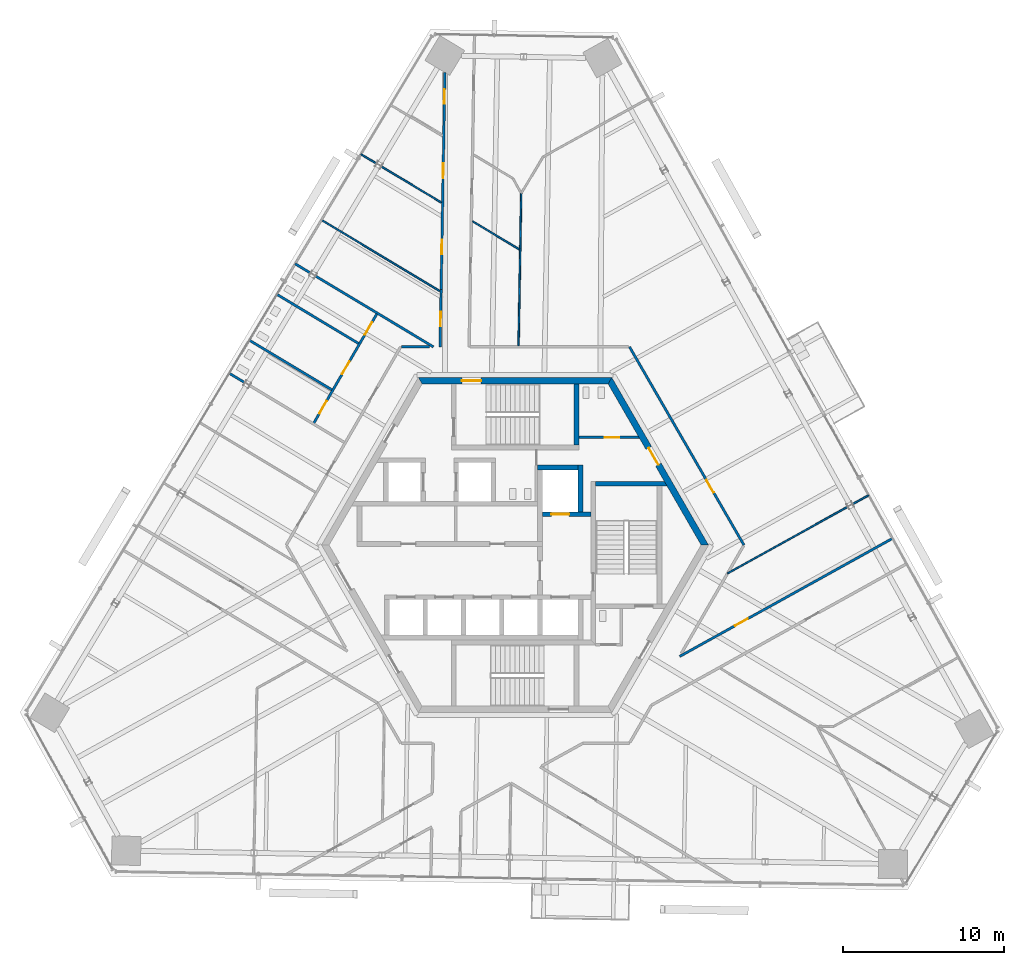
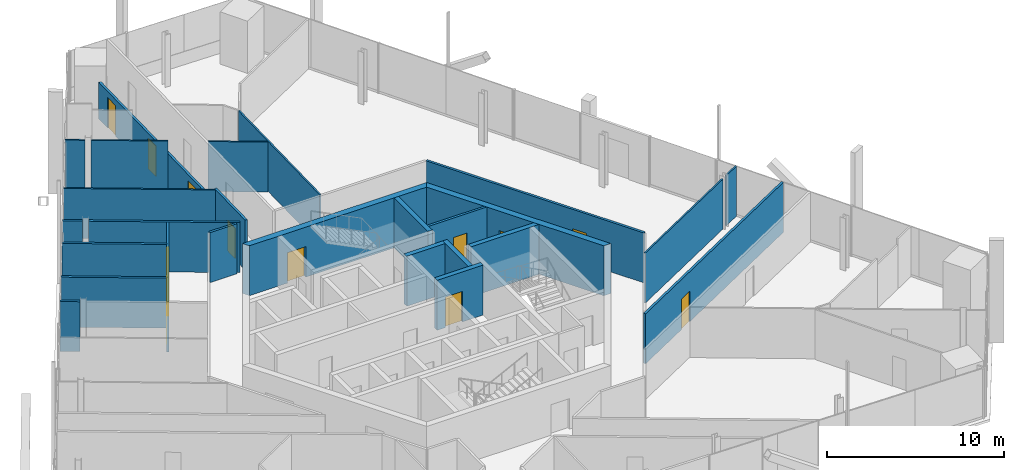
# One storey, part 14 of 21: 26 walls, 13 doors, 13 openings.
"""IFC4 building model written with IfcOpenShell, lengths in metres."""

from ifc_helpers import new_model, si_unit, direction, frame, frame_2d, origin, place, context, subcontext, project, spatial, polyline, rectangle, outline, extrude, source, transform, mapped, material, layer, layer_set, type_object, element, fill, save


model = new_model("IFC4")

# Units and contexts
model_context = context("Model", 3, precision=1e-05, world=origin(), true_north=direction((0.0, 1.0)))
body_context = subcontext(model_context, "Body", "Model", "MODEL_VIEW")
ifc_project = project(units=[si_unit("LENGTHUNIT", "METRE"), si_unit("AREAUNIT", "SQUARE_METRE"), si_unit("VOLUMEUNIT", "CUBIC_METRE"), si_unit("PLANEANGLEUNIT", "RADIAN"), si_unit("MASSUNIT", "GRAM", prefix="KILO")], contexts=[model_context])

# Site, building, storey
site_placement = place(None, origin())
site = spatial("IfcSite", under=ifc_project, at=site_placement, CompositionType="ELEMENT")
building_placement = place(site_placement, origin())
building = spatial("IfcBuilding", under=site, at=building_placement, Name="Triune Harvest Tower", CompositionType="ELEMENT")
storey_placement = place(building_placement, frame((0.0, 0.0, 187.10009765625)))
storey = spatial("IfcBuildingStorey", under=building, at=storey_placement, Name="L48", CompositionType="ELEMENT", Elevation=187.10009765625)

# Walls
ifc_material_1 = material(Name="Gypsum board on steel studs", Category="steel")
ifc_layer_1 = layer(ifc_material_1, 0.14990234375)
ifc_layer_set_1 = layer_set([ifc_layer_1], Name="Gypsum board on steel studs")
wall_type_1 = type_object("IfcWallType", Name="Fire Partition 150 mm", PredefinedType="PARTITIONING", material=ifc_layer_set_1)
wall_1_placement = place(storey_placement, frame((-14.779541015625, 15.54931640625, 0.0), z_axis=(0.0, 0.0, 1.0), x_axis=(0.857165418582, -0.51504120727, 0.0)))
element("IfcWall", 1, at=wall_1_placement, inside=storey, type_object=wall_type_1, Name="Partition L48 020", PredefinedType="PARTITIONING", context=body_context, shape_type="SweptSolid", body=[
    extrude(rectangle(XDim=5.9228515625, YDim=0.14990234375, at=frame_2d((2.96142578125, 0.0))), origin(), (0.0, 0.0, 1.0), 3.43994140625),
])
wall_2_placement = place(storey_placement, frame((-12.377685546875, 16.685302734375, 0.0), z_axis=(0.0, 0.0, 1.0), x_axis=(0.857174551335, -0.515026007638, 0.0)))
element("IfcWall", 2, at=wall_2_placement, inside=storey, type_object=wall_type_1, Name="Partition L48 022", PredefinedType="PARTITIONING", context=body_context, shape_type="SweptSolid", body=[
    extrude(rectangle(XDim=8.52978515625, YDim=0.14990234375, at=frame_2d((4.264892578125, 0.0))), origin(), (0.0, 0.0, 1.0), 3.43994140625),
])
wall_3_placement = place(storey_placement, frame((-7.047119140625, 12.292236328125, 0.0), z_axis=(0.0, 0.0, 1.0), x_axis=(1.0, 0.0, 0.0)))
element("IfcWall", 3, at=wall_3_placement, inside=storey, type_object=wall_type_1, Name="Partition L48 032", PredefinedType="PARTITIONING", context=body_context, shape_type="SweptSolid", body=[
    extrude(rectangle(XDim=1.747314453125, YDim=0.14990234375, at=frame_2d((0.87353515625, 0.0))), origin(), (0.0, 0.0, 1.0), 3.43994140625),
])

# Wall, openings, doors
wall_4_placement = place(storey_placement, frame((-12.510009765625, 7.5166015625, 0.0), z_axis=(0.0, 0.0, 1.0), x_axis=(0.499999983394, 0.866025413372, 0.0)))
wall_4 = element("IfcWall", 4, at=wall_4_placement, inside=storey, type_object=wall_type_1, Name="Partition L48 050", PredefinedType="PARTITIONING", context=body_context, shape_type="SweptSolid", body=[
    extrude(rectangle(XDim=7.86865234375, YDim=0.14990234375, at=frame_2d((3.934326171875, 0.0))), origin(), (0.0, 0.0, 1.0), 3.43994140625),
])
opening_1_placement = place(wall_4_placement, frame((6.378662109375, 0.0, 0.0)))
opening_1 = element("IfcOpeningElement", 5, at=opening_1_placement, cuts=wall_4, Name="Opening L48-012", PredefinedType="OPENING", context=body_context, shape_type="SweptSolid", body=[
    extrude(rectangle(XDim=0.89990234375, YDim=2.10009765625, at=frame_2d((0.449951171875, 1.050048828125))), frame((0.0, 0.0849609375, 0.0), z_axis=(0.0, -1.0, 0.0), x_axis=(1.0, 0.0, 0.0)), (0.0, 0.0, 1.0), 0.169921875),
])
opening_2_placement = place(wall_4_placement, frame((3.5673828125, 0.0, 0.0)))
opening_2 = element("IfcOpeningElement", 6, at=opening_2_placement, cuts=wall_4, Name="Opening L48-013", PredefinedType="OPENING", context=body_context, shape_type="SweptSolid", body=[
    extrude(rectangle(XDim=0.89990234375, YDim=2.10009765625, at=frame_2d((0.449951171875, 1.050048828125))), frame((0.0, 0.0849609375, 0.0), z_axis=(0.0, -1.0, 0.0), x_axis=(1.0, 0.0, 0.0)), (0.0, 0.0, 1.0), 0.169921875),
])
opening_3_placement = place(wall_4_placement, frame((0.75048828125, 0.0, 0.0)))
opening_3 = element("IfcOpeningElement", 7, at=opening_3_placement, cuts=wall_4, Name="Opening L48-014", PredefinedType="OPENING", context=body_context, shape_type="SweptSolid", body=[
    extrude(rectangle(XDim=0.89990234375, YDim=2.10009765625, at=frame_2d((0.449951171875, 1.050048828125))), frame((0.0, 0.0849609375, 0.0), z_axis=(0.0, -1.0, 0.0), x_axis=(1.0, 0.0, 0.0)), (0.0, 0.0, 1.0), 0.169921875),
])
ifc_material_2 = material(Name="Timber and steel door set", Category="steel")
door_type_1 = type_object("IfcDoorType", Name="Single leaf door FD30 left hand 900 x 2100", OperationType="SINGLE_SWING_LEFT", PredefinedType="DOOR", material=ifc_material_2)
door_1_placement = place(opening_3_placement, origin())
door_1 = element("IfcDoor", 8, at=door_1_placement, inside=storey, type_object=door_type_1, Name="Door L48-014 Accessible WC 48.14", OperationType="SINGLE_SWING_LEFT", OverallHeight=2.10009765625, OverallWidth=0.89990234375, PredefinedType="DOOR", context=body_context, shape_type="SweptSolid", body=[
    extrude(rectangle(XDim=0.89990234375, YDim=2.10009765625, at=frame_2d((0.449951171875, 1.050048828125))), frame((0.0, 0.02490234375, 0.0), z_axis=(0.0, -1.0, 0.0), x_axis=(1.0, 0.0, 0.0)), (0.0, 0.0, 1.0), 0.050048828125),
])
fill(opening_3, door_1)
ifc_material_3 = material(Name="Timber and steel door set", Category="steel")
door_type_2 = type_object("IfcDoorType", Name="Single leaf door FD30 right hand 900 x 2100", OperationType="SINGLE_SWING_RIGHT", PredefinedType="DOOR", material=ifc_material_3)
door_2_placement = place(opening_1_placement, origin())
door_2 = element("IfcDoor", 9, at=door_2_placement, inside=storey, type_object=door_type_2, Name="Door L48-012 Women's WC 48.12", OperationType="SINGLE_SWING_RIGHT", OverallHeight=2.10009765625, OverallWidth=0.89990234375, PredefinedType="DOOR", context=body_context, shape_type="SweptSolid", body=[
    extrude(rectangle(XDim=0.89990234375, YDim=2.10009765625, at=frame_2d((0.449951171875, 1.050048828125))), frame((0.0, 0.02490234375, 0.0), z_axis=(0.0, -1.0, 0.0), x_axis=(1.0, 0.0, 0.0)), (0.0, 0.0, 1.0), 0.050048828125),
])
fill(opening_1, door_2)
door_3_placement = place(opening_2_placement, origin())
door_3 = element("IfcDoor", 10, at=door_3_placement, inside=storey, type_object=door_type_2, Name="Door L48-013 Men's WC 48.13", OperationType="SINGLE_SWING_RIGHT", OverallHeight=2.10009765625, OverallWidth=0.89990234375, PredefinedType="DOOR", context=body_context, shape_type="SweptSolid", body=[
    extrude(rectangle(XDim=0.89990234375, YDim=2.10009765625, at=frame_2d((0.449951171875, 1.050048828125))), frame((0.0, 0.02490234375, 0.0), z_axis=(0.0, -1.0, 0.0), x_axis=(1.0, 0.0, 0.0)), (0.0, 0.0, 1.0), 0.050048828125),
])
fill(opening_2, door_3)

wall_5_placement = place(storey_placement, frame((-4.587890625, 15.852783203125, 0.0), z_axis=(0.0, 0.0, 1.0), x_axis=(0.017453112648, 0.999847682829, 0.0)))
wall_5 = element("IfcWall", 11, at=wall_5_placement, inside=storey, type_object=wall_type_1, Name="Partition L48 058a", PredefinedType="PARTITIONING", context=body_context, shape_type="SweptSolid", body=[
    extrude(rectangle(XDim=13.470703125, YDim=0.14990234375, at=frame_2d((6.7353515625, 0.0))), origin(), (0.0, 0.0, 1.0), 2.517822265625),
])
opening_4_placement = place(wall_5_placement, frame((6.913818359375, 0.0, 0.0)))
opening_4 = element("IfcOpeningElement", 12, at=opening_4_placement, cuts=wall_5, Name="Opening L48-005", PredefinedType="OPENING", context=body_context, shape_type="SweptSolid", body=[
    extrude(rectangle(XDim=0.89990234375, YDim=2.10009765625, at=frame_2d((0.449951171875, 1.050048828125))), frame((0.0, 0.0849609375, 0.0), z_axis=(0.0, -1.0, 0.0), x_axis=(1.0, 0.0, 0.0)), (0.0, 0.0, 1.0), 0.169921875),
])
opening_5_placement = place(wall_5_placement, frame((11.51953125, 0.0, 0.0)))
opening_5 = element("IfcOpeningElement", 13, at=opening_5_placement, cuts=wall_5, Name="Opening L48-006", PredefinedType="OPENING", context=body_context, shape_type="SweptSolid", body=[
    extrude(rectangle(XDim=0.89990234375, YDim=2.10009765625, at=frame_2d((0.449951171875, 1.050048828125))), frame((0.0, 0.0849609375, 0.0), z_axis=(0.0, -1.0, 0.0), x_axis=(1.0, 0.0, 0.0)), (0.0, 0.0, 1.0), 0.169921875),
])
opening_6_placement = place(wall_5_placement, frame((2.194580078125, 0.0, 0.0)))
opening_6 = element("IfcOpeningElement", 14, at=opening_6_placement, cuts=wall_5, Name="Opening L48-009", PredefinedType="OPENING", context=body_context, shape_type="SweptSolid", body=[
    extrude(rectangle(XDim=0.89990234375, YDim=2.10009765625, at=frame_2d((0.449951171875, 1.050048828125))), frame((0.0, 0.0849609375, 0.0), z_axis=(0.0, -1.0, 0.0), x_axis=(1.0, 0.0, 0.0)), (0.0, 0.0, 1.0), 0.169921875),
])
door_4_placement = place(opening_6_placement, origin())
door_4 = element("IfcDoor", 15, at=door_4_placement, inside=storey, type_object=door_type_1, Name="Door L48-009 Office 48.09", OperationType="SINGLE_SWING_LEFT", OverallHeight=2.10009765625, OverallWidth=0.89990234375, PredefinedType="DOOR", context=body_context, shape_type="SweptSolid", body=[
    extrude(rectangle(XDim=0.89990234375, YDim=2.10009765625, at=frame_2d((0.449951171875, 1.050048828125))), frame((0.0, 0.02490234375, 0.0), z_axis=(0.0, -1.0, 0.0), x_axis=(1.0, 0.0, 0.0)), (0.0, 0.0, 1.0), 0.050048828125),
])
fill(opening_6, door_4)
door_5_placement = place(opening_4_placement, origin())
door_5 = element("IfcDoor", 16, at=door_5_placement, inside=storey, type_object=door_type_2, Name="Door L48-005 Office 48.05", OperationType="SINGLE_SWING_RIGHT", OverallHeight=2.10009765625, OverallWidth=0.89990234375, PredefinedType="DOOR", context=body_context, shape_type="SweptSolid", body=[
    extrude(rectangle(XDim=0.89990234375, YDim=2.10009765625, at=frame_2d((0.449951171875, 1.050048828125))), frame((0.0, 0.02490234375, 0.0), z_axis=(0.0, -1.0, 0.0), x_axis=(1.0, 0.0, 0.0)), (0.0, 0.0, 1.0), 0.050048828125),
])
fill(opening_4, door_5)
door_6_placement = place(opening_5_placement, origin())
door_6 = element("IfcDoor", 17, at=door_6_placement, inside=storey, type_object=door_type_2, Name="Door L48-006 Office 48.06", OperationType="SINGLE_SWING_RIGHT", OverallHeight=2.10009765625, OverallWidth=0.89990234375, PredefinedType="DOOR", context=body_context, shape_type="SweptSolid", body=[
    extrude(rectangle(XDim=0.89990234375, YDim=2.10009765625, at=frame_2d((0.449951171875, 1.050048828125))), frame((0.0, 0.02490234375, 0.0), z_axis=(0.0, -1.0, 0.0), x_axis=(1.0, 0.0, 0.0)), (0.0, 0.0, 1.0), 0.050048828125),
])
fill(opening_5, door_6)

# Wall
ifc_material_4 = material(Name="Gypsum board on steel studs", Category="steel")
ifc_layer_2 = layer(ifc_material_4, 0.10009765625)
ifc_layer_set_2 = layer_set([ifc_layer_2], Name="Gypsum board on steel studs")
wall_type_2 = type_object("IfcWallType", Name="Partition 100 mm", PredefinedType="PARTITIONING", material=ifc_layer_set_2)
wall_6_placement = place(storey_placement, frame((-12.0078125, 20.162353515625, 0.0), z_axis=(0.0, 0.0, 1.0), x_axis=(0.857173283812, -0.515028117211, 0.0)))
element("IfcWall", 18, at=wall_6_placement, inside=storey, type_object=wall_type_2, Name="Partition L48 023", PredefinedType="PARTITIONING", context=body_context, shape_type="SweptSolid", body=[
    extrude(rectangle(XDim=8.5634765625, YDim=0.10009765625, at=frame_2d((4.28173828125, 0.0))), origin(), (0.0, 0.0, 1.0), 3.43994140625),
])

# Wall, opening, door
ifc_material_5 = material(Name="Concrete 70 MPa", Category="concrete")
ifc_layer_3 = layer(ifc_material_5, 0.39990234375)
ifc_layer_set_3 = layer_set([ifc_layer_3], Name="Concrete 70 MPa")
wall_type_3 = type_object("IfcWallType", Name="Core wall 400", PredefinedType="SHEAR", material=ifc_layer_set_3)
shared_shape_1 = source(origin(), body_context, "Body", "SweptSolid", [
    extrude(outline(polyline([(-0.115478515625, -0.199951171875), (11.884521484375, -0.199951171875), (11.653564453125, 0.199951171875), (0.115478515625, 0.199951171875), (-0.115478515625, -0.199951171875)])), origin(), (0.0, 0.0, 1.0), 3.43994140625),
])
wall_7_placement = place(storey_placement, frame((11.76904296875, 0.0, 0.0), z_axis=(0.0, 0.0, 1.0), x_axis=(-0.499996592174, 0.866027371285, 0.0)))
wall_7 = element("IfcWall", 19, at=wall_7_placement, inside=storey, type_object=wall_type_3, Name="Hexagon 0 wall", PredefinedType="SHEAR", context=body_context, shape_type="MappedRepresentation", body=[
    mapped(shared_shape_1, transform((0.0, 0.0, 0.0), scale=1.0)),
])
opening_7_placement = place(wall_7_placement, frame((5.75048828125, 0.0, 0.0)))
opening_7 = element("IfcOpeningElement", 20, at=opening_7_placement, cuts=wall_7, Name="Opening CD-WCP", PredefinedType="OPENING", context=body_context, shape_type="SweptSolid", body=[
    extrude(rectangle(XDim=1.199951171875, YDim=2.10009765625, at=frame_2d((0.60009765625, 1.050048828125))), frame((0.0, 0.2099609375, 0.0), z_axis=(0.0, -1.0, 0.0), x_axis=(1.0, 0.0, 0.0)), (0.0, 0.0, 1.0), 0.419921875),
])
ifc_material_6 = material(Name="Steel S235", Category="steel")
door_type_3 = type_object("IfcDoorType", Name="Lobby door 1200 FD120", OperationType="SINGLE_SWING_LEFT", PredefinedType="DOOR", material=ifc_material_6)
door_7_placement = place(opening_7_placement, frame((1.199951171875, 0.0, 0.0), z_axis=(0.0, 0.0, 1.0), x_axis=(-1.0, 0.0, 0.0)))
door_7 = element("IfcDoor", 21, at=door_7_placement, inside=storey, type_object=door_type_3, Name="Door CD-WCP", OperationType="SINGLE_SWING_RIGHT", OverallHeight=2.10009765625, OverallWidth=1.199951171875, PredefinedType="DOOR", context=body_context, shape_type="SweptSolid", body=[
    extrude(rectangle(XDim=1.199951171875, YDim=2.10009765625, at=frame_2d((0.60009765625, 1.050048828125))), frame((0.0, 0.02490234375, 0.0), z_axis=(0.0, -1.0, 0.0), x_axis=(1.0, 0.0, 0.0)), (0.0, 0.0, 1.0), 0.050048828125),
])
fill(opening_7, door_7)

wall_8_placement = place(storey_placement, frame((5.884521484375, 10.1923828125, 0.0), z_axis=(0.0, 0.0, 1.0), x_axis=(-1.0, 0.0, 0.0)))
wall_8 = element("IfcWall", 22, at=wall_8_placement, inside=storey, type_object=wall_type_3, Name="Hexagon 1 wall", PredefinedType="SHEAR", context=body_context, shape_type="MappedRepresentation", body=[
    mapped(shared_shape_1, transform((0.0, 0.0, 0.0), scale=1.0)),
])
opening_8_placement = place(wall_8_placement, frame((7.984619140625, 0.0, 0.0)))
opening_8 = element("IfcOpeningElement", 23, at=opening_8_placement, cuts=wall_8, Name="Opening CD-S1P", PredefinedType="OPENING", context=body_context, shape_type="SweptSolid", body=[
    extrude(rectangle(XDim=1.199951171875, YDim=2.10009765625, at=frame_2d((0.60009765625, 1.050048828125))), frame((0.0, 0.2099609375, 0.0), z_axis=(0.0, -1.0, 0.0), x_axis=(1.0, 0.0, 0.0)), (0.0, 0.0, 1.0), 0.419921875),
])
ifc_material_7 = material(Name="Steel S235", Category="steel")
door_type_4 = type_object("IfcDoorType", Name="Stair door 1200 FD120", OperationType="SINGLE_SWING_LEFT", PredefinedType="DOOR", material=ifc_material_7)
door_8_placement = place(opening_8_placement, frame((1.199951171875, 0.0, 0.0), z_axis=(0.0, 0.0, 1.0), x_axis=(-1.0, 0.0, 0.0)))
door_8 = element("IfcDoor", 24, at=door_8_placement, inside=storey, type_object=door_type_4, Name="Door CD-S1P", OperationType="SINGLE_SWING_RIGHT", OverallHeight=2.10009765625, OverallWidth=1.199951171875, PredefinedType="DOOR", context=body_context, shape_type="SweptSolid", body=[
    extrude(rectangle(XDim=1.199951171875, YDim=2.10009765625, at=frame_2d((0.60009765625, 1.050048828125))), frame((0.0, 0.02490234375, 0.0), z_axis=(0.0, -1.0, 0.0), x_axis=(1.0, 0.0, 0.0)), (0.0, 0.0, 1.0), 0.050048828125),
])
fill(opening_8, door_8)

# Wall
ifc_material_8 = material(Name="Concrete 70 MPa", Category="concrete")
ifc_layer_4 = layer(ifc_material_8, 0.300048828125)
ifc_layer_set_4 = layer_set([ifc_layer_4], Name="Concrete 70 MPa")
wall_type_4 = type_object("IfcWallType", Name="Core wall 300", PredefinedType="SHEAR", material=ifc_layer_set_4)
shared_shape_2 = source(origin(), body_context, "Body", "SweptSolid", [
    extrude(rectangle(XDim=2.5, YDim=0.300048828125, at=frame_2d((1.25, 0.0))), origin(), (0.0, 0.0, 1.0), 3.43994140625),
])
wall_9_placement = place(storey_placement, frame((1.39990234375, 4.81005859375, 0.0), z_axis=(0.0, 0.0, 1.0), x_axis=(1.0, 0.0, 0.0)))
element("IfcWall", 25, at=wall_9_placement, inside=storey, type_object=wall_type_4, Name="Ff1 back wall", PredefinedType="SHEAR", context=body_context, shape_type="MappedRepresentation", body=[
    mapped(shared_shape_2, transform((0.0, 0.0, 0.0), scale=1.0)),
])

# Wall, opening, door
shared_shape_3 = source(origin(), body_context, "Body", "SweptSolid", [
    extrude(rectangle(XDim=3.0, YDim=0.300048828125, at=frame_2d((1.5, 0.0))), origin(), (0.0, 0.0, 1.0), 3.43994140625),
])
wall_10_placement = place(storey_placement, frame((1.699951171875, 1.909912109375, 0.0), z_axis=(0.0, 0.0, 1.0), x_axis=(1.0, 0.0, 0.0)))
wall_10 = element("IfcWall", 26, at=wall_10_placement, inside=storey, type_object=wall_type_4, Name="Ff1 front wall", PredefinedType="SHEAR", context=body_context, shape_type="MappedRepresentation", body=[
    mapped(shared_shape_3, transform((0.0, 0.0, 0.0), scale=1.0)),
])
opening_9_placement = place(wall_10_placement, frame((0.550048828125, 0.0, 0.0)))
opening_9 = element("IfcOpeningElement", 27, at=opening_9_placement, cuts=wall_10, Name="Opening LD-FF1-48", PredefinedType="OPENING", context=body_context, shape_type="SweptSolid", body=[
    extrude(rectangle(XDim=1.10009765625, YDim=2.10009765625, at=frame_2d((0.550048828125, 1.050048828125))), frame((0.0, 0.16015625, 0.0), z_axis=(0.0, -1.0, 0.0), x_axis=(1.0, 0.0, 0.0)), (0.0, 0.0, 1.0), 0.320068359375),
])
ifc_material_9 = material(Name="Stainless steel AISI 304", Category="steel")
door_type_5 = type_object("IfcDoorType", Name="Landing door 1100 x 2100", OperationType="DOUBLE_DOOR_SLIDING", PredefinedType="DOOR", material=ifc_material_9)
door_9_placement = place(opening_9_placement, origin())
door_9 = element("IfcDoor", 28, at=door_9_placement, inside=storey, type_object=door_type_5, Name="Door LD-FF1-48", OperationType="DOUBLE_DOOR_SLIDING", OverallHeight=2.10009765625, OverallWidth=1.10009765625, PredefinedType="DOOR", context=body_context, shape_type="SweptSolid", body=[
    extrude(rectangle(XDim=1.10009765625, YDim=2.10009765625, at=frame_2d((0.550048828125, 1.050048828125))), frame((0.0, 0.02490234375, 0.0), z_axis=(0.0, -1.0, 0.0), x_axis=(1.0, 0.0, 0.0)), (0.0, 0.0, 1.0), 0.050048828125),
])
fill(opening_9, door_9)

# Walls
shared_shape_4 = source(origin(), body_context, "Body", "SweptSolid", [
    extrude(rectangle(XDim=2.89990234375, YDim=0.300048828125, at=frame_2d((1.449951171875, 0.0))), origin(), (0.0, 0.0, 1.0), 3.43994140625),
])
wall_11_placement = place(storey_placement, frame((4.050048828125, 2.06005859375, 0.0), z_axis=(0.0, 0.0, 1.0), x_axis=(0.0, 1.0, 0.0)))
element("IfcWall", 29, at=wall_11_placement, inside=storey, type_object=wall_type_4, Name="Ff1 east wall", PredefinedType="SHEAR", context=body_context, shape_type="MappedRepresentation", body=[
    mapped(shared_shape_4, transform((0.0, 0.0, 0.0), scale=1.0)),
])
shared_shape_5 = source(origin(), body_context, "Body", "SweptSolid", [
    extrude(outline(polyline([(0.0, -0.14990234375), (0.0, 0.14990234375), (4.260009765625, 0.14990234375), (4.43310546875, -0.14990234375), (0.0, -0.14990234375)])), origin(), (0.0, 0.0, 1.0), 3.43994140625),
])
wall_12_placement = place(storey_placement, frame((5.0, 3.800048828125, 0.0), z_axis=(0.0, 0.0, 1.0), x_axis=(1.0, 0.0, 0.0)))
element("IfcWall", 30, at=wall_12_placement, inside=storey, type_object=wall_type_4, Name="Stair e north wall", PredefinedType="SHEAR", context=body_context, shape_type="MappedRepresentation", body=[
    mapped(shared_shape_5, transform((0.0, 0.0, 0.0), scale=1.0)),
])
shared_shape_6 = source(origin(), body_context, "Body", "SweptSolid", [
    extrude(outline(polyline([(0.0, -0.14990234375), (0.0, 0.14990234375), (3.80419921875, 0.14990234375), (3.80419921875, -0.14990234375), (0.0, -0.14990234375)])), origin(), (0.0, 0.0, 1.0), 3.43994140625),
])
wall_13_placement = place(storey_placement, frame((3.800048828125, 6.18994140625, 0.0), z_axis=(0.0, 0.0, 1.0), x_axis=(0.0, 1.0, 0.0)))
element("IfcWall", 31, at=wall_13_placement, inside=storey, type_object=wall_type_4, Name="Stair n east wall", PredefinedType="SHEAR", context=body_context, shape_type="MappedRepresentation", body=[
    mapped(shared_shape_6, transform((0.0, 0.0, 0.0), scale=1.0)),
])

# Wall, opening, door
ifc_material_10 = material(Name="Concrete masonry unit", Category="masonry")
ifc_layer_5 = layer(ifc_material_10, 0.14990234375)
ifc_layer_set_5 = layer_set([ifc_layer_5], Name="Concrete masonry unit")
wall_type_5 = type_object("IfcWallType", Name="Block partition 150 unrated", PredefinedType="PARTITIONING", material=ifc_layer_set_5)
shared_shape_7 = source(origin(), body_context, "Body", "SweptSolid", [
    extrude(outline(polyline([(0.0, -0.074951171875), (0.0, 0.074951171875), (3.693359375, 0.074951171875), (3.77978515625, -0.074951171875), (0.0, -0.074951171875)])), origin(), (0.0, 0.0, 1.0), 3.43994140625),
])
wall_14_placement = place(storey_placement, frame((3.949951171875, 6.675048828125, 0.0), z_axis=(0.0, 0.0, 1.0), x_axis=(1.0, 0.0, 0.0)))
wall_14 = element("IfcWall", 32, at=wall_14_placement, inside=storey, type_object=wall_type_5, Name="Wc women south wall", PredefinedType="PARTITIONING", context=body_context, shape_type="MappedRepresentation", body=[
    mapped(shared_shape_7, transform((0.0, 0.0, 0.0), scale=1.0)),
])
opening_10_placement = place(wall_14_placement, frame((1.60009765625, 0.0, 0.0)))
opening_10 = element("IfcOpeningElement", 33, at=opening_10_placement, cuts=wall_14, Name="Opening CD-WW", PredefinedType="OPENING", context=body_context, shape_type="SweptSolid", body=[
    extrude(rectangle(XDim=0.89990234375, YDim=2.10009765625, at=frame_2d((0.449951171875, 1.050048828125))), frame((0.0, 0.0849609375, 0.0), z_axis=(0.0, -1.0, 0.0), x_axis=(1.0, 0.0, 0.0)), (0.0, 0.0, 1.0), 0.169921875),
])
ifc_material_11 = material(Name="Timber C24", Category="wood")
door_type_6 = type_object("IfcDoorType", Name="WC door 900", OperationType="SINGLE_SWING_LEFT", PredefinedType="DOOR", material=ifc_material_11)
door_10_placement = place(opening_10_placement, origin())
door_10 = element("IfcDoor", 34, at=door_10_placement, inside=storey, type_object=door_type_6, Name="Door CD-WW", OperationType="SINGLE_SWING_LEFT", OverallHeight=2.10009765625, OverallWidth=0.89990234375, PredefinedType="DOOR", context=body_context, shape_type="SweptSolid", body=[
    extrude(rectangle(XDim=0.89990234375, YDim=2.10009765625, at=frame_2d((0.449951171875, 1.050048828125))), frame((0.0, 0.02490234375, 0.0), z_axis=(0.0, -1.0, 0.0), x_axis=(1.0, 0.0, 0.0)), (0.0, 0.0, 1.0), 0.050048828125),
])
fill(opening_10, door_10)

shared_shape_8 = source(origin(), body_context, "Body", "SweptSolid", [
    extrude(rectangle(XDim=14.19384765625, YDim=0.14990234375, at=frame_2d((7.096923828125, 0.0))), origin(), (0.0, 0.0, 1.0), 3.43994140625),
])
wall_15_placement = place(storey_placement, frame((7.096923828125, 12.292236328125, 0.0), z_axis=(0.0, 0.0, 1.0), x_axis=(0.499999887723, -0.866025468608, 0.0)))
wall_15 = element("IfcWall", 35, at=wall_15_placement, inside=storey, type_object=wall_type_1, Name="Partition L48 006", PredefinedType="PARTITIONING", context=body_context, shape_type="MappedRepresentation", body=[
    mapped(shared_shape_8, transform((0.0, 0.0, 0.0), scale=1.0)),
])
opening_11_placement = place(wall_15_placement, frame((9.5439453125, 0.0, 0.0)))
opening_11 = element("IfcOpeningElement", 36, at=opening_11_placement, cuts=wall_15, Name="Opening L48-003", PredefinedType="OPENING", context=body_context, shape_type="SweptSolid", body=[
    extrude(rectangle(XDim=0.89990234375, YDim=2.10009765625, at=frame_2d((0.449951171875, 1.050048828125))), frame((0.0, 0.0849609375, 0.0), z_axis=(0.0, -1.0, 0.0), x_axis=(1.0, 0.0, 0.0)), (0.0, 0.0, 1.0), 0.169921875),
])
door_11_placement = place(opening_11_placement, origin())
door_11 = element("IfcDoor", 37, at=door_11_placement, inside=storey, type_object=door_type_2, Name="Door L48-003 Open Office 48.03", OperationType="SINGLE_SWING_RIGHT", OverallHeight=2.10009765625, OverallWidth=0.89990234375, PredefinedType="DOOR", context=body_context, shape_type="SweptSolid", body=[
    extrude(rectangle(XDim=0.89990234375, YDim=2.10009765625, at=frame_2d((0.449951171875, 1.050048828125))), frame((0.0, 0.02490234375, 0.0), z_axis=(0.0, -1.0, 0.0), x_axis=(1.0, 0.0, 0.0)), (0.0, 0.0, 1.0), 0.050048828125),
])
fill(opening_11, door_11)

# Walls
shared_shape_9 = source(origin(), body_context, "Body", "SweptSolid", [
    extrude(rectangle(XDim=1.13037109375, YDim=0.14990234375, at=frame_2d((0.565185546875, 0.0))), origin(), (0.0, 0.0, 1.0), 3.43994140625),
])
for number, where, z_axis, x_axis, name in (
    (38, (-17.7236328125, 10.649658203125, 0.0), (0.0, 0.0, 1.0), (0.857149738065, -0.515067302919, 0.0), "Partition L48 015"),
    (39, (-13.640869140625, 17.444580078125, 0.0), (0.0, 0.0, 1.0), (0.857149738065, -0.515067302919, 0.0), "Partition L48 021"),
):
    element("IfcWall", number, at=place(storey_placement, frame(where, z_axis=z_axis, x_axis=x_axis)), inside=storey, type_object=wall_type_1, Name=name, PredefinedType="PARTITIONING", context=body_context, shape_type="MappedRepresentation", body=[
        mapped(shared_shape_9, transform((0.0, 0.0, 0.0), scale=1.0)),
    ])
shared_shape_10 = source(origin(), body_context, "Body", "SweptSolid", [
    extrude(rectangle(XDim=5.980712890625, YDim=0.14990234375, at=frame_2d((2.990234375, 0.0))), origin(), (0.0, 0.0, 1.0), 3.43994140625),
])
wall_16_placement = place(storey_placement, frame((-16.487548828125, 12.706787109375, 0.0), z_axis=(0.0, 0.0, 1.0), x_axis=(0.857164980933, -0.515041935634, 0.0)))
element("IfcWall", 40, at=wall_16_placement, inside=storey, type_object=wall_type_1, Name="Partition L48 019", PredefinedType="PARTITIONING", context=body_context, shape_type="MappedRepresentation", body=[
    mapped(shared_shape_10, transform((0.0, 0.0, 0.0), scale=1.0)),
])
shared_shape_11 = source(origin(), body_context, "Body", "SweptSolid", [
    extrude(rectangle(XDim=1.130615234375, YDim=0.10009765625, at=frame_2d((0.5654296875, 0.0))), origin(), (0.0, 0.0, 1.0), 3.43994140625),
])
for number, where, z_axis, x_axis, name in (
    (41, (-9.55810546875, 24.239501953125, 0.0), (0.0, 0.0, 1.0), (0.85705438935, -0.515225944316, 0.0), "Partition L48 024"),
    (42, (20.93896484375, 2.54296875, 0.0), (0.0, 0.0, 1.0), (0.874615280468, 0.484817606087, 0.0), "Partition L48 043"),
):
    element("IfcWall", number, at=place(storey_placement, frame(where, z_axis=z_axis, x_axis=x_axis)), inside=storey, type_object=wall_type_2, Name=name, PredefinedType="PARTITIONING", context=body_context, shape_type="MappedRepresentation", body=[
        mapped(shared_shape_11, transform((0.0, 0.0, 0.0), scale=1.0)),
    ])
shared_shape_12 = source(origin(), body_context, "Body", "SweptSolid", [
    extrude(rectangle(XDim=4.34375, YDim=0.10009765625, at=frame_2d((2.171875, 0.0))), origin(), (0.0, 0.0, 1.0), 3.43994140625),
])
wall_17_placement = place(storey_placement, frame((-8.294921875, 23.480224609375, 0.0), z_axis=(0.0, 0.0, 1.0), x_axis=(0.857185297152, -0.515008122602, 0.0)))
element("IfcWall", 43, at=wall_17_placement, inside=storey, type_object=wall_type_2, Name="Partition L48 025", PredefinedType="PARTITIONING", context=body_context, shape_type="MappedRepresentation", body=[
    mapped(shared_shape_12, transform((0.0, 0.0, 0.0), scale=1.0)),
])
shared_shape_13 = source(origin(), body_context, "Body", "SweptSolid", [
    extrude(rectangle(XDim=3.377685546875, YDim=0.10009765625, at=frame_2d((1.68896484375, 0.0))), origin(), (0.0, 0.0, 1.0), 3.43994140625),
])
wall_18_placement = place(storey_placement, frame((-2.6357421875, 20.079833984375, 0.0), z_axis=(0.0, 0.0, 1.0), x_axis=(0.857186640387, -0.515005886901, 0.0)))
element("IfcWall", 44, at=wall_18_placement, inside=storey, type_object=wall_type_2, Name="Partition L48 026", PredefinedType="PARTITIONING", context=body_context, shape_type="MappedRepresentation", body=[
    mapped(shared_shape_13, transform((0.0, 0.0, 0.0), scale=1.0)),
])

# Wall, opening, door
shared_shape_14 = source(origin(), body_context, "Body", "SweptSolid", [
    extrude(rectangle(XDim=15.102294921875, YDim=0.14990234375, at=frame_2d((7.55126953125, 0.0))), origin(), (0.0, 0.0, 1.0), 3.43994140625),
])
wall_19_placement = place(storey_placement, frame((10.204345703125, -6.91015625, 0.0), z_axis=(0.0, 0.0, 1.0), x_axis=(0.874618217, 0.484812308519, 0.0)))
wall_19 = element("IfcWall", 45, at=wall_19_placement, inside=storey, type_object=wall_type_1, Name="Partition L48 041", PredefinedType="PARTITIONING", context=body_context, shape_type="MappedRepresentation", body=[
    mapped(shared_shape_14, transform((0.0, 0.0, 0.0), scale=1.0)),
])
opening_12_placement = place(wall_19_placement, frame((3.93310546875, 0.0, 0.0)))
opening_12 = element("IfcOpeningElement", 46, at=opening_12_placement, cuts=wall_19, Name="Opening L48-001", PredefinedType="OPENING", context=body_context, shape_type="SweptSolid", body=[
    extrude(rectangle(XDim=0.89990234375, YDim=2.10009765625, at=frame_2d((0.449951171875, 1.050048828125))), frame((0.0, 0.0849609375, 0.0), z_axis=(0.0, -1.0, 0.0), x_axis=(1.0, 0.0, 0.0)), (0.0, 0.0, 1.0), 0.169921875),
])
door_12_placement = place(opening_12_placement, origin())
door_12 = element("IfcDoor", 47, at=door_12_placement, inside=storey, type_object=door_type_1, Name="Door L48-001 Meeting Room 48.01", OperationType="SINGLE_SWING_LEFT", OverallHeight=2.10009765625, OverallWidth=0.89990234375, PredefinedType="DOOR", context=body_context, shape_type="SweptSolid", body=[
    extrude(rectangle(XDim=0.89990234375, YDim=2.10009765625, at=frame_2d((0.449951171875, 1.050048828125))), frame((0.0, 0.02490234375, 0.0), z_axis=(0.0, -1.0, 0.0), x_axis=(1.0, 0.0, 0.0)), (0.0, 0.0, 1.0), 0.050048828125),
])
fill(opening_12, door_12)

# Walls
shared_shape_15 = source(origin(), body_context, "Body", "SweptSolid", [
    extrude(rectangle(XDim=8.52978515625, YDim=0.10009765625, at=frame_2d((4.264892578125, 0.0))), origin(), (0.0, 0.0, 1.0), 3.43994140625),
])
wall_20_placement = place(storey_placement, frame((13.1787109375, -1.7587890625, 0.0), z_axis=(0.0, 0.0, 1.0), x_axis=(0.874607833569, 0.484831040116, 0.0)))
element("IfcWall", 48, at=wall_20_placement, inside=storey, type_object=wall_type_2, Name="Partition L48 042", PredefinedType="PARTITIONING", context=body_context, shape_type="MappedRepresentation", body=[
    mapped(shared_shape_15, transform((0.0, 0.0, 0.0), scale=1.0)),
])
shared_shape_16 = source(origin(), body_context, "Body", "SweptSolid", [
    extrude(rectangle(XDim=9.4619140625, YDim=0.10009765625, at=frame_2d((4.73095703125, 0.0))), origin(), (0.0, 0.0, 1.0), 3.43994140625),
])
wall_21_placement = place(storey_placement, frame((0.215576171875, 12.352294921875, 0.0), z_axis=(0.0, 0.0, 1.0), x_axis=(0.017416712628, 0.999848317557, 0.0)))
element("IfcWall", 49, at=wall_21_placement, inside=storey, type_object=wall_type_2, Name="Partition L48 053", PredefinedType="PARTITIONING", context=body_context, shape_type="MappedRepresentation", body=[
    mapped(shared_shape_16, transform((0.0, 0.0, 0.0), scale=1.0)),
])

# Wall, opening, door
shared_shape_17 = source(origin(), body_context, "Body", "SweptSolid", [
    extrude(rectangle(XDim=3.56103515625, YDim=0.14990234375, at=frame_2d((1.780517578125, 0.0))), origin(), (0.0, 0.0, 1.0), 3.43994140625),
])
wall_22_placement = place(storey_placement, frame((-4.64990234375, 12.292236328125, 0.0), z_axis=(0.0, 0.0, 1.0), x_axis=(0.017413705839, 0.999848369929, 0.0)))
wall_22 = element("IfcWall", 50, at=wall_22_placement, inside=storey, type_object=wall_type_1, Name="Partition L48 058", PredefinedType="PARTITIONING", context=body_context, shape_type="MappedRepresentation", body=[
    mapped(shared_shape_17, transform((0.0, 0.0, 0.0), scale=1.0)),
])
opening_13_placement = place(wall_22_placement, frame((1.263671875, 0.0, 0.0)))
opening_13 = element("IfcOpeningElement", 51, at=opening_13_placement, cuts=wall_22, Name="Opening L48-008", PredefinedType="OPENING", context=body_context, shape_type="SweptSolid", body=[
    extrude(rectangle(XDim=0.89990234375, YDim=2.10009765625, at=frame_2d((0.449951171875, 1.050048828125))), frame((0.0, 0.0849609375, 0.0), z_axis=(0.0, -1.0, 0.0), x_axis=(1.0, 0.0, 0.0)), (0.0, 0.0, 1.0), 0.169921875),
])
door_13_placement = place(opening_13_placement, origin())
door_13 = element("IfcDoor", 52, at=door_13_placement, inside=storey, type_object=door_type_1, Name="Door L48-008 Office 48.08", OperationType="SINGLE_SWING_LEFT", OverallHeight=2.10009765625, OverallWidth=0.89990234375, PredefinedType="DOOR", context=body_context, shape_type="SweptSolid", body=[
    extrude(rectangle(XDim=0.89990234375, YDim=2.10009765625, at=frame_2d((0.449951171875, 1.050048828125))), frame((0.0, 0.02490234375, 0.0), z_axis=(0.0, -1.0, 0.0), x_axis=(1.0, 0.0, 0.0)), (0.0, 0.0, 1.0), 0.050048828125),
])
fill(opening_13, door_13)

save(model, "model.ifc")
